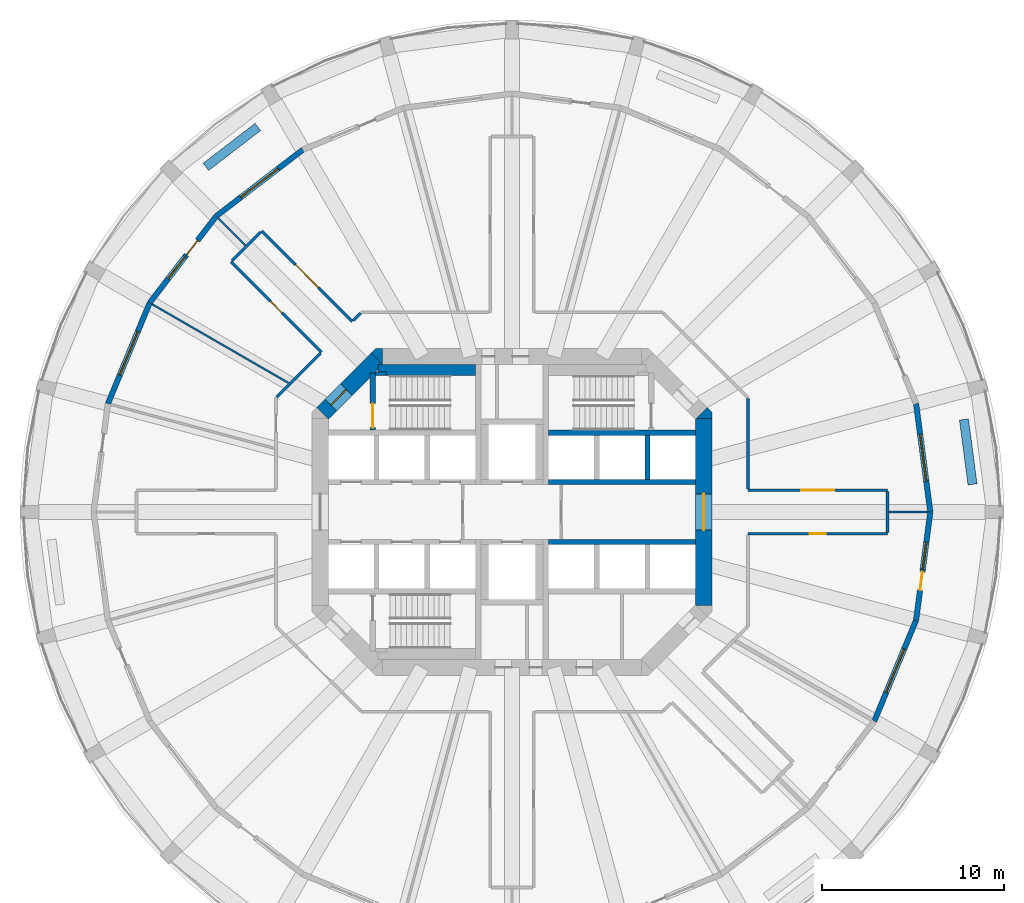
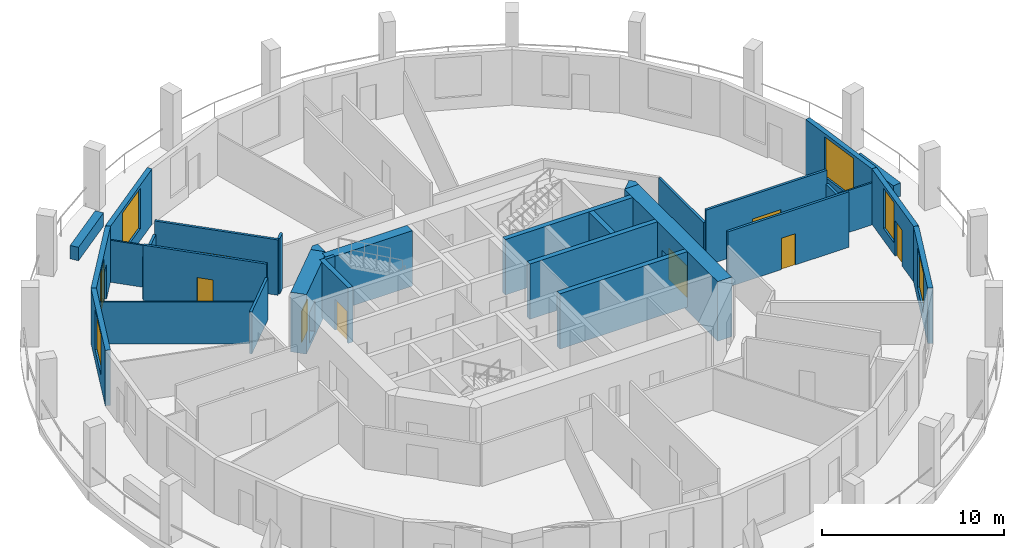
# One storey, part 5 of 9: 31 walls, 9 doors, 6 windows, 15 openings.
"""IFC4 building model written with IfcOpenShell, lengths in metres."""

from ifc_helpers import new_model, si_unit, direction, frame, frame_2d, origin, place, context, subcontext, project, spatial, polyline, rectangle, outline, extrude, material, layer, layer_set, type_object, element, fill, save


model = new_model("IFC4")

# Units and contexts
model_context = context("Model", 3, precision=1e-05, world=origin(), true_north=direction((0.0, 1.0)))
body_context = subcontext(model_context, "Body", "Model", "MODEL_VIEW")
ifc_project = project(units=[si_unit("LENGTHUNIT", "METRE"), si_unit("AREAUNIT", "SQUARE_METRE"), si_unit("VOLUMEUNIT", "CUBIC_METRE"), si_unit("PLANEANGLEUNIT", "RADIAN"), si_unit("MASSUNIT", "GRAM", prefix="KILO")], contexts=[model_context])

# Site, building, storey
site_placement = place(None, origin())
site = spatial("IfcSite", under=ifc_project, at=site_placement, CompositionType="ELEMENT")
building_placement = place(site_placement, origin())
building = spatial("IfcBuilding", under=site, at=building_placement, Name="Torre Triforio", CompositionType="ELEMENT")
storey_placement = place(building_placement, frame((0.0, 0.0, 35.0)))
storey = spatial("IfcBuildingStorey", under=building, at=storey_placement, Name="L06", CompositionType="ELEMENT", Elevation=35.0)

# Wall, opening, door
ifc_material_1 = material(Name="Concrete C60", Category="concrete")
ifc_layer_1 = layer(ifc_material_1, 0.89990234375)
ifc_layer_set_1 = layer_set([ifc_layer_1], Name="Concrete C60")
wall_type_1 = type_object("IfcWallType", Name="Core wall 900 mm C60 EI 120", PredefinedType="SHEAR", material=ifc_layer_set_1)
wall_1_placement = place(storey_placement, frame((10.550048828125, -5.1298828125, -0.280029296875), z_axis=(0.0, 0.0, 1.0), x_axis=(0.0, 1.0, 0.0)))
wall_1 = element("IfcWall", 1, at=wall_1_placement, inside=storey, type_object=wall_type_1, Name="Core wall", PredefinedType="SHEAR", context=body_context, shape_type="SweptSolid", body=[
    extrude(rectangle(XDim=10.259765625, YDim=0.89990234375, at=frame_2d((5.1298828125, 0.0))), origin(), (0.0, 0.0, 1.0), 4.0),
])
opening_1_placement = place(wall_1_placement, frame((4.1298828125, 0.0, 0.280029296875)))
opening_1 = element("IfcOpeningElement", 2, at=opening_1_placement, cuts=wall_1, Name="Opening E-RING", PredefinedType="OPENING", context=body_context, shape_type="SweptSolid", body=[
    extrude(rectangle(XDim=2.0, YDim=2.10009765625, at=frame_2d((1.0, 1.050048828125))), frame((0.0, 0.4599609375, 0.0), z_axis=(0.0, -1.0, 0.0), x_axis=(1.0, 0.0, 0.0)), (0.0, 0.0, 1.0), 0.919921875),
])
ifc_material_2 = material(Name="Hollow metal fire door leaf")
door_type_1 = type_object("IfcDoorType", Name="Lobby door 2000 x 2100 EI 60", OperationType="DOUBLE_DOOR_SINGLE_SWING", PredefinedType="DOOR", material=ifc_material_2)
door_1_placement = place(opening_1_placement, origin())
door_1 = element("IfcDoor", 3, at=door_1_placement, inside=storey, type_object=door_type_1, Name="Core door E-RING", OperationType="DOUBLE_DOOR_SINGLE_SWING", OverallHeight=2.10009765625, OverallWidth=2.0, PredefinedType="DOOR", context=body_context, shape_type="SweptSolid", body=[
    extrude(rectangle(XDim=2.0, YDim=2.10009765625, at=frame_2d((1.0, 1.050048828125))), frame((0.0, 0.02490234375, 0.0), z_axis=(0.0, -1.0, 0.0), x_axis=(1.0, 0.0, 0.0)), (0.0, 0.0, 1.0), 0.050048828125),
])
fill(opening_1, door_1)

wall_2_placement = place(storey_placement, frame((-10.418212890625, 5.418212890625, -0.280029296875), z_axis=(0.0, 0.0, 1.0), x_axis=(0.707106781187, 0.707106781187, 0.0)))
wall_2 = element("IfcWall", 4, at=wall_2_placement, inside=storey, type_object=wall_type_1, Name="Core wall", PredefinedType="SHEAR", context=body_context, shape_type="SweptSolid", body=[
    extrude(rectangle(XDim=4.24267578125, YDim=0.89990234375, at=frame_2d((2.121337890625, 0.0))), origin(), (0.0, 0.0, 1.0), 4.0),
])
opening_2_placement = place(wall_2_placement, frame((0.64990234375, 0.0, 0.280029296875)))
opening_2 = element("IfcOpeningElement", 5, at=opening_2_placement, cuts=wall_2, Name="Opening ST1-EXIT", PredefinedType="OPENING", context=body_context, shape_type="SweptSolid", body=[
    extrude(rectangle(XDim=1.199951171875, YDim=2.10009765625, at=frame_2d((0.60009765625, 1.050048828125))), frame((0.0, 0.4599609375, 0.0), z_axis=(0.0, -1.0, 0.0), x_axis=(1.0, 0.0, 0.0)), (0.0, 0.0, 1.0), 0.919921875),
])
door_type_2 = type_object("IfcDoorType", Name="Stair lobby door 1200 x 2100 EI 60", OperationType="NOTDEFINED", PredefinedType="DOOR", material=ifc_material_2)
door_2_placement = place(opening_2_placement, origin())
door_2 = element("IfcDoor", 6, at=door_2_placement, inside=storey, type_object=door_type_2, Name="Core door ST1-EXIT", OperationType="SINGLE_SWING_RIGHT", OverallHeight=2.10009765625, OverallWidth=1.199951171875, PredefinedType="DOOR", context=body_context, shape_type="SweptSolid", body=[
    extrude(rectangle(XDim=1.199951171875, YDim=2.10009765625, at=frame_2d((0.60009765625, 1.050048828125))), frame((0.0, 0.02490234375, 0.0), z_axis=(0.0, -1.0, 0.0), x_axis=(1.0, 0.0, 0.0)), (0.0, 0.0, 1.0), 0.050048828125),
])
fill(opening_2, door_2)

# Walls
wall_3_placement = place(storey_placement, frame((0.0, 0.0, -0.280029296875)))
element("IfcWall", 7, at=wall_3_placement, inside=storey, type_object=wall_type_1, Name="Core wall", PredefinedType="SHEAR", context=body_context, shape_type="SweptSolid", body=[
    extrude(outline(polyline([(11.0, 5.472900390625), (11.0, 5.1298828125), (10.1298828125, 5.1298828125), (10.736328125, 5.736328125), (11.0, 5.472900390625)])), origin(), (0.0, 0.0, 1.0), 4.0),
])
wall_4_placement = place(storey_placement, frame((0.0, 0.0, -0.280029296875)))
element("IfcWall", 8, at=wall_4_placement, inside=storey, type_object=wall_type_1, Name="Core wall", PredefinedType="SHEAR", context=body_context, shape_type="SweptSolid", body=[
    extrude(outline(polyline([(-7.472900390625, 9.0), (-7.1298828125, 9.0), (-7.1298828125, 8.1298828125), (-7.736328125, 8.736328125), (-7.472900390625, 9.0)])), origin(), (0.0, 0.0, 1.0), 4.0),
])
ifc_material_3 = material(Name="Plasterboard on metal studs")
ifc_layer_2 = layer(ifc_material_3, 0.14990234375)
ifc_layer_set_2 = layer_set([ifc_layer_2], Name="Plasterboard on metal studs")
wall_type_2 = type_object("IfcWallType", Name="Corridor and tenancy wall 150 mm EI 60", PredefinedType="PARTITIONING", material=ifc_layer_set_2)
wall_5_placement = place(storey_placement, frame((-12.93798828125, 6.327880859375, 0.0), z_axis=(0.0, 0.0, 1.0), x_axis=(0.707106781187, 0.707106781187, 0.0)))
element("IfcWall", 9, at=wall_5_placement, inside=storey, type_object=wall_type_2, Name="Partition 16", PredefinedType="PARTITIONING", context=body_context, shape_type="SweptSolid", body=[
    extrude(rectangle(XDim=3.399169921875, YDim=0.14990234375, at=frame_2d((1.69970703125, 0.0))), origin(), (0.0, 0.0, 1.0), 2.820068359375),
])

# Wall, opening, door
wall_6_placement = place(storey_placement, frame((-10.4814453125, 8.784423828125, 0.0), z_axis=(0.0, 0.0, 1.0), x_axis=(-0.707124155885, 0.707089406061, 0.0)))
wall_6 = element("IfcWall", 10, at=wall_6_placement, inside=storey, type_object=wall_type_2, Name="Partition 17", PredefinedType="PARTITIONING", context=body_context, shape_type="SweptSolid", body=[
    extrude(rectangle(XDim=7.025634765625, YDim=0.14990234375, at=frame_2d((3.5126953125, 0.0))), origin(), (0.0, 0.0, 1.0), 3.719970703125),
])
opening_3_placement = place(wall_6_placement, frame((3.062744140625, 0.0, 0.0)))
opening_3 = element("IfcOpeningElement", 11, at=opening_3_placement, cuts=wall_6, Name="Opening N1-05", PredefinedType="OPENING", context=body_context, shape_type="SweptSolid", body=[
    extrude(rectangle(XDim=0.89990234375, YDim=2.10009765625, at=frame_2d((0.449951171875, 1.050048828125))), frame((0.0, 0.0849609375, 0.0), z_axis=(0.0, -1.0, 0.0), x_axis=(1.0, 0.0, 0.0)), (0.0, 0.0, 1.0), 0.169921875),
])
ifc_material_4 = material(Name="Timber", Category="wood")
door_type_3 = type_object("IfcDoorType", Name="Door 900 x 2100 single leaf EI 30", OperationType="NOTDEFINED", PredefinedType="DOOR", material=ifc_material_4)
door_3_placement = place(opening_3_placement, origin())
door_3 = element("IfcDoor", 12, at=door_3_placement, inside=storey, type_object=door_type_3, Name="Door N1-05", OperationType="SINGLE_SWING_RIGHT", OverallHeight=2.10009765625, OverallWidth=0.89990234375, PredefinedType="DOOR", context=body_context, shape_type="SweptSolid", body=[
    extrude(rectangle(XDim=0.89990234375, YDim=2.10009765625, at=frame_2d((0.449951171875, 1.050048828125))), frame((0.0, 0.02490234375, 0.0), z_axis=(0.0, -1.0, 0.0), x_axis=(1.0, 0.0, 0.0)), (0.0, 0.0, 1.0), 0.050048828125),
])
fill(opening_3, door_3)

# Wall
wall_7_placement = place(storey_placement, frame((-15.396240234375, 13.805419921875, 0.0), z_axis=(0.0, 0.0, 1.0), x_axis=(0.707106781187, 0.707106781187, 0.0)))
element("IfcWall", 13, at=wall_7_placement, inside=storey, type_object=wall_type_2, Name="Partition 18", PredefinedType="PARTITIONING", context=body_context, shape_type="SweptSolid", body=[
    extrude(rectangle(XDim=2.249755859375, YDim=0.14990234375, at=frame_2d((1.125, 0.0))), origin(), (0.0, 0.0, 1.0), 2.820068359375),
])

# Wall, opening, door
wall_8_placement = place(storey_placement, frame((-13.752197265625, 15.449462890625, 0.0), z_axis=(0.0, 0.0, 1.0), x_axis=(0.707089406061, -0.707124155885, 0.0)))
wall_8 = element("IfcWall", 14, at=wall_8_placement, inside=storey, type_object=wall_type_2, Name="Partition 19", PredefinedType="PARTITIONING", context=body_context, shape_type="SweptSolid", body=[
    extrude(rectangle(XDim=7.025634765625, YDim=0.14990234375, at=frame_2d((3.5126953125, 0.0))), origin(), (0.0, 0.0, 1.0), 3.719970703125),
])
opening_4_placement = place(wall_8_placement, frame((2.61279296875, 0.0, 0.0)))
opening_4 = element("IfcOpeningElement", 15, at=opening_4_placement, cuts=wall_8, Name="Opening N1-04", PredefinedType="OPENING", context=body_context, shape_type="SweptSolid", body=[
    extrude(rectangle(XDim=1.800048828125, YDim=2.10009765625, at=frame_2d((0.89990234375, 1.050048828125))), frame((0.0, 0.0849609375, 0.0), z_axis=(0.0, -1.0, 0.0), x_axis=(1.0, 0.0, 0.0)), (0.0, 0.0, 1.0), 0.169921875),
])
door_type_4 = type_object("IfcDoorType", Name="Door 1800 x 2100 double leaf EI 30", OperationType="DOUBLE_DOOR_SINGLE_SWING", PredefinedType="DOOR", material=ifc_material_4)
door_4_placement = place(opening_4_placement, origin())
door_4 = element("IfcDoor", 16, at=door_4_placement, inside=storey, type_object=door_type_4, Name="Door N1-04", OperationType="DOUBLE_DOOR_SINGLE_SWING", OverallHeight=2.10009765625, OverallWidth=1.800048828125, PredefinedType="DOOR", context=body_context, shape_type="SweptSolid", body=[
    extrude(rectangle(XDim=1.800048828125, YDim=2.10009765625, at=frame_2d((0.89990234375, 1.050048828125))), frame((0.0, 0.02490234375, 0.0), z_axis=(0.0, -1.0, 0.0), x_axis=(1.0, 0.0, 0.0)), (0.0, 0.0, 1.0), 0.050048828125),
])
fill(opening_4, door_4)

# Walls
wall_9_placement = place(storey_placement, frame((-8.7314453125, 10.534423828125, 0.0), z_axis=(0.0, 0.0, 1.0), x_axis=(0.707106781187, 0.707106781187, 0.0)))
element("IfcWall", 17, at=wall_9_placement, inside=storey, type_object=wall_type_2, Name="Partition 20", PredefinedType="PARTITIONING", context=body_context, shape_type="SweptSolid", body=[
    extrude(rectangle(XDim=0.57080078125, YDim=0.14990234375, at=frame_2d((0.285400390625, 0.0))), origin(), (0.0, 0.0, 1.0), 3.719970703125),
])
wall_10_placement = place(storey_placement, frame((12.97509765625, 6.23828125, 0.0), z_axis=(0.0, 0.0, 1.0), x_axis=(0.0, -1.0, 0.0)))
element("IfcWall", 18, at=wall_10_placement, inside=storey, type_object=wall_type_2, Name="Partition 27", PredefinedType="PARTITIONING", context=body_context, shape_type="SweptSolid", body=[
    extrude(rectangle(XDim=4.96337890625, YDim=0.14990234375, at=frame_2d((2.481689453125, 0.0))), origin(), (0.0, 0.0, 1.0), 2.820068359375),
])

# Wall, opening, door
wall_11_placement = place(storey_placement, frame((12.97509765625, 1.199951171875, 0.0), z_axis=(0.0, 0.0, 1.0), x_axis=(1.0, 0.0, 0.0)))
wall_11 = element("IfcWall", 19, at=wall_11_placement, inside=storey, type_object=wall_type_2, Name="Partition 28", PredefinedType="PARTITIONING", context=body_context, shape_type="SweptSolid", body=[
    extrude(rectangle(XDim=7.673583984375, YDim=0.14990234375, at=frame_2d((3.8369140625, 0.0))), origin(), (0.0, 0.0, 1.0), 3.719970703125),
])
opening_5_placement = place(wall_11_placement, frame((2.93701171875, 0.0, 0.0)))
opening_5 = element("IfcOpeningElement", 20, at=opening_5_placement, cuts=wall_11, Name="Opening N1-01", PredefinedType="OPENING", context=body_context, shape_type="SweptSolid", body=[
    extrude(rectangle(XDim=1.800048828125, YDim=2.10009765625, at=frame_2d((0.89990234375, 1.050048828125))), frame((0.0, 0.0849609375, 0.0), z_axis=(0.0, -1.0, 0.0), x_axis=(1.0, 0.0, 0.0)), (0.0, 0.0, 1.0), 0.169921875),
])
door_5_placement = place(opening_5_placement, origin())
door_5 = element("IfcDoor", 21, at=door_5_placement, inside=storey, type_object=door_type_4, Name="Door N1-01", OperationType="DOUBLE_DOOR_SINGLE_SWING", OverallHeight=2.10009765625, OverallWidth=1.800048828125, PredefinedType="DOOR", context=body_context, shape_type="SweptSolid", body=[
    extrude(rectangle(XDim=1.800048828125, YDim=2.10009765625, at=frame_2d((0.89990234375, 1.050048828125))), frame((0.0, 0.02490234375, 0.0), z_axis=(0.0, -1.0, 0.0), x_axis=(1.0, 0.0, 0.0)), (0.0, 0.0, 1.0), 0.050048828125),
])
fill(opening_5, door_5)

# Wall
wall_12_placement = place(storey_placement, frame((20.648681640625, 1.125, 0.0), z_axis=(0.0, 0.0, 1.0), x_axis=(0.0, -1.0, 0.0)))
element("IfcWall", 22, at=wall_12_placement, inside=storey, type_object=wall_type_2, Name="Partition 29", PredefinedType="PARTITIONING", context=body_context, shape_type="SweptSolid", body=[
    extrude(rectangle(XDim=2.25, YDim=0.14990234375, at=frame_2d((1.125, 0.0))), origin(), (0.0, 0.0, 1.0), 2.820068359375),
])

# Wall, opening, door
wall_13_placement = place(storey_placement, frame((20.648681640625, -1.199951171875, 0.0), z_axis=(0.0, 0.0, 1.0), x_axis=(-1.0, 0.0, 0.0)))
wall_13 = element("IfcWall", 23, at=wall_13_placement, inside=storey, type_object=wall_type_2, Name="Partition 30", PredefinedType="PARTITIONING", context=body_context, shape_type="SweptSolid", body=[
    extrude(rectangle(XDim=7.673583984375, YDim=0.14990234375, at=frame_2d((3.8369140625, 0.0))), origin(), (0.0, 0.0, 1.0), 3.719970703125),
])
opening_6_placement = place(wall_13_placement, frame((3.386962890625, 0.0, 0.0)))
opening_6 = element("IfcOpeningElement", 24, at=opening_6_placement, cuts=wall_13, Name="Opening N1-14", PredefinedType="OPENING", context=body_context, shape_type="SweptSolid", body=[
    extrude(rectangle(XDim=0.89990234375, YDim=2.10009765625, at=frame_2d((0.449951171875, 1.050048828125))), frame((0.0, 0.0849609375, 0.0), z_axis=(0.0, -1.0, 0.0), x_axis=(1.0, 0.0, 0.0)), (0.0, 0.0, 1.0), 0.169921875),
])
door_6_placement = place(opening_6_placement, origin())
door_6 = element("IfcDoor", 25, at=door_6_placement, inside=storey, type_object=door_type_3, Name="Door N1-14", OperationType="SINGLE_SWING_RIGHT", OverallHeight=2.10009765625, OverallWidth=0.89990234375, PredefinedType="DOOR", context=body_context, shape_type="SweptSolid", body=[
    extrude(rectangle(XDim=0.89990234375, YDim=2.10009765625, at=frame_2d((0.449951171875, 1.050048828125))), frame((0.0, 0.02490234375, 0.0), z_axis=(0.0, -1.0, 0.0), x_axis=(1.0, 0.0, 0.0)), (0.0, 0.0, 1.0), 0.050048828125),
])
fill(opening_6, door_6)

# Walls
ifc_layer_3 = layer(ifc_material_3, 0.10009765625)
ifc_layer_set_3 = layer_set([ifc_layer_3], Name="Plasterboard on metal studs")
wall_type_3 = type_object("IfcWallType", Name="Partition 100 mm board on metal studs", PredefinedType="PARTITIONING", material=ifc_layer_set_3)
for number, where, z_axis, x_axis, name in (
    (26, (20.7236328125, 0.0, 0.0), (0.0, 0.0, 1.0), (1.0, 0.0, 0.0), "Partition 35"),
    (27, (-14.65380859375, 14.65380859375, 0.0), (0.0, 0.0, 1.0), (-0.707106781187, 0.707106781187, 0.0), "Partition 39"),
):
    element("IfcWall", number, at=place(storey_placement, frame(where, z_axis=z_axis, x_axis=x_axis)), inside=storey, type_object=wall_type_3, Name=name, PredefinedType="PARTITIONING", context=body_context, shape_type="SweptSolid", body=[
        extrude(rectangle(XDim=2.113037109375, YDim=0.10009765625, at=frame_2d((1.056640625, 0.0))), origin(), (0.0, 0.0, 1.0), 2.820068359375),
    ])
wall_14_placement = place(storey_placement, frame((-12.294189453125, 7.097900390625, 0.0), z_axis=(0.0, 0.0, 1.0), x_axis=(-0.866010547425, 0.500025731086, 0.0)))
element("IfcWall", 28, at=wall_14_placement, inside=storey, type_object=wall_type_3, Name="Partition 40", PredefinedType="PARTITIONING", context=body_context, shape_type="SweptSolid", body=[
    extrude(rectangle(XDim=8.640625, YDim=0.10009765625, at=frame_2d((4.3203125, 0.0))), origin(), (0.0, 0.0, 1.0), 2.820068359375),
])
ifc_material_5 = material(Name="Limestone cladding", Category="masonry")
ifc_layer_4 = layer(ifc_material_5, 0.10009765625)
ifc_material_6 = material(Name="Concrete C40", Category="concrete")
ifc_layer_5 = layer(ifc_material_6, 0.39990234375)
ifc_layer_set_4 = layer_set([ifc_layer_4, ifc_layer_5], Name="Limestone cladding / Concrete C40")
wall_type_4 = type_object("IfcWallType", Name="Planter wall 500", PredefinedType="PARAPET", material=ifc_layer_set_4)
wall_15_placement = place(storey_placement, frame((25.318603515625, 1.517578125, 0.0), z_axis=(0.0, 0.0, 1.0), x_axis=(-0.130542222659, 0.991442750795, 0.0)))
element("IfcWall", 29, at=wall_15_placement, inside=storey, type_object=wall_type_4, Name="Planter L06 bay 01", PredefinedType="PARAPET", context=body_context, shape_type="SweptSolid", body=[
    extrude(rectangle(XDim=3.60009765625, YDim=0.5, at=frame_2d((1.800048828125, 0.0))), origin(), (0.0, 0.0, 1.0), 0.89990234375),
])
wall_16_placement = place(storey_placement, frame((-13.9736328125, 21.16748046875, 0.0), z_axis=(0.0, 0.0, 1.0), x_axis=(-0.793359599829, -0.608753271334, 0.0)))
element("IfcWall", 30, at=wall_16_placement, inside=storey, type_object=wall_type_4, Name="Planter L06 bay 09", PredefinedType="PARAPET", context=body_context, shape_type="SweptSolid", body=[
    extrude(rectangle(XDim=3.599853515625, YDim=0.5, at=frame_2d((1.7998046875, 0.0))), origin(), (0.0, 0.0, 1.0), 0.89990234375),
])
ifc_layer_6 = layer(ifc_material_1, 0.300048828125)
ifc_layer_set_5 = layer_set([ifc_layer_6], Name="Concrete C60")
wall_type_5 = type_object("IfcWallType", Name="Shaft wall 300 mm C60 EI 120", PredefinedType="SOLIDWALL", material=ifc_layer_set_5)
for number, where, z_axis, x_axis, name in (
    (31, (2.0, 4.35009765625, 0.0), (0.0, 0.0, 1.0), (1.0, 0.0, 0.0), "Shaft wall"),
    (32, (2.0, 1.64990234375, 0.0), (0.0, 0.0, 1.0), (1.0, 0.0, 0.0), "Shaft wall"),
    (33, (2.0, -1.64990234375, 0.0), (0.0, 0.0, 1.0), (1.0, 0.0, 0.0), "Shaft wall"),
):
    element("IfcWall", number, at=place(storey_placement, frame(where, z_axis=z_axis, x_axis=x_axis)), inside=storey, type_object=wall_type_5, Name=name, PredefinedType="SOLIDWALL", context=body_context, shape_type="SweptSolid", body=[
        extrude(rectangle(XDim=8.10009765625, YDim=0.300048828125, at=frame_2d((4.050048828125, 0.0))), origin(), (0.0, 0.0, 1.0), 3.719970703125),
    ])
wall_17_placement = place(storey_placement, frame((7.449951171875, 1.800048828125, 0.0), z_axis=(0.0, 0.0, 1.0), x_axis=(0.0, 1.0, 0.0)))
element("IfcWall", 34, at=wall_17_placement, inside=storey, type_object=wall_type_5, Name="Shaft wall", PredefinedType="SOLIDWALL", context=body_context, shape_type="SweptSolid", body=[
    extrude(rectangle(XDim=2.39990234375, YDim=0.300048828125, at=frame_2d((1.199951171875, 0.0))), origin(), (0.0, 0.0, 1.0), 3.719970703125),
])
ifc_layer_7 = layer(ifc_material_1, 0.199951171875)
ifc_layer_set_6 = layer_set([ifc_layer_7], Name="Concrete C60")
wall_type_6 = type_object("IfcWallType", Name="Stair wall 200 mm C60 EI 120", PredefinedType="SHEAR", material=ifc_layer_set_6)
wall_18_placement = place(storey_placement, frame((-7.5, 7.60009765625, 0.0), z_axis=(0.0, 0.0, 1.0), x_axis=(1.0, 0.0, 0.0)))
element("IfcWall", 35, at=wall_18_placement, inside=storey, type_object=wall_type_6, Name="Stair wall", PredefinedType="SHEAR", context=body_context, shape_type="SweptSolid", body=[
    extrude(rectangle(XDim=0.60009765625, YDim=0.199951171875, at=frame_2d((0.300048828125, 0.0))), origin(), (0.0, 0.0, 1.0), 3.719970703125),
])

# Wall, opening, door
ifc_layer_8 = layer(ifc_material_1, 0.300048828125)
ifc_layer_set_7 = layer_set([ifc_layer_8], Name="Concrete C60")
wall_type_7 = type_object("IfcWallType", Name="Stair wall 300 mm C60 EI 120", PredefinedType="SHEAR", material=ifc_layer_set_7)
wall_19_placement = place(storey_placement, frame((-7.64990234375, 4.5, 0.0), z_axis=(0.0, 0.0, 1.0), x_axis=(0.0, 1.0, 0.0)))
wall_19 = element("IfcWall", 36, at=wall_19_placement, inside=storey, type_object=wall_type_7, Name="Stair wall", PredefinedType="SHEAR", context=body_context, shape_type="SweptSolid", body=[
    extrude(rectangle(XDim=3.139892578125, YDim=0.300048828125, at=frame_2d((1.56982421875, 0.0))), origin(), (0.0, 0.0, 1.0), 3.719970703125),
])
opening_7_placement = place(wall_19_placement, frame((0.139892578125, 0.0, 0.0)))
opening_7 = element("IfcOpeningElement", 37, at=opening_7_placement, cuts=wall_19, Name="Opening ST1-STA", PredefinedType="OPENING", context=body_context, shape_type="SweptSolid", body=[
    extrude(rectangle(XDim=1.320068359375, YDim=2.10009765625, at=frame_2d((0.66015625, 1.050048828125))), frame((0.0, 0.159912109375, 0.0), z_axis=(0.0, -1.0, 0.0), x_axis=(1.0, 0.0, 0.0)), (0.0, 0.0, 1.0), 0.320068359375),
])
door_type_5 = type_object("IfcDoorType", Name="Stair door 1320 x 2100 EI 90", OperationType="DOUBLE_DOOR_SINGLE_SWING", PredefinedType="DOOR", material=ifc_material_2)
door_7_placement = place(opening_7_placement, origin())
door_7 = element("IfcDoor", 38, at=door_7_placement, inside=storey, type_object=door_type_5, Name="Core door ST1-ST", OperationType="DOUBLE_DOOR_SINGLE_SWING", OverallHeight=2.10009765625, OverallWidth=1.320068359375, PredefinedType="DOOR", context=body_context, shape_type="SweptSolid", body=[
    extrude(rectangle(XDim=1.320068359375, YDim=2.10009765625, at=frame_2d((0.66015625, 1.050048828125))), frame((0.0, 0.02490234375, 0.0), z_axis=(0.0, -1.0, 0.0), x_axis=(1.0, 0.0, 0.0)), (0.0, 0.0, 1.0), 0.050048828125),
])
fill(opening_7, door_7)

# Wall
ifc_layer_9 = layer(ifc_material_1, 0.60009765625)
ifc_layer_set_8 = layer_set([ifc_layer_9], Name="Concrete C60")
wall_type_8 = type_object("IfcWallType", Name="Stair wall 600 mm C60 EI 120", PredefinedType="SHEAR", material=ifc_layer_set_8)
wall_20_placement = place(storey_placement, frame((-7.3701171875, 7.800048828125, 0.0), z_axis=(0.0, 0.0, 1.0), x_axis=(1.0, 0.0, 0.0)))
element("IfcWall", 39, at=wall_20_placement, inside=storey, type_object=wall_type_8, Name="Stair wall", PredefinedType="SHEAR", context=body_context, shape_type="SweptSolid", body=[
    extrude(rectangle(XDim=5.3701171875, YDim=0.60009765625, at=frame_2d((2.68505859375, 0.0))), origin(), (0.0, 0.0, 1.0), 3.719970703125),
])

# Wall, opening, window
ifc_layer_10 = layer(ifc_material_5, 0.10009765625)
ifc_layer_11 = layer(ifc_material_6, 0.199951171875)
ifc_layer_set_9 = layer_set([ifc_layer_10, ifc_layer_11], Name="Limestone cladding / Concrete C40")
wall_type_9 = type_object("IfcWallType", Name="Stone-faced composite wall 300", PredefinedType="STANDARD", material=ifc_layer_set_9)
wall_21_placement = place(storey_placement, frame((23.0, 0.0, 0.0), z_axis=(0.0, 0.0, 1.0), x_axis=(-0.130522880875, 0.991445297315, 0.0)))
wall_21 = element("IfcWall", 40, at=wall_21_placement, inside=storey, type_object=wall_type_9, Name="External wall L06 bay 01", PredefinedType="STANDARD", context=body_context, shape_type="SweptSolid", body=[
    extrude(rectangle(XDim=6.004150390625, YDim=0.300048828125, at=frame_2d((3.001953125, 0.0))), origin(), (0.0, 0.0, 1.0), 3.719970703125),
])
opening_8_placement = place(wall_21_placement, frame((1.7021484375, 0.0, 0.800048828125)))
opening_8 = element("IfcOpeningElement", 41, at=opening_8_placement, cuts=wall_21, Name="Opening N1-W01", PredefinedType="OPENING", context=body_context, shape_type="SweptSolid", body=[
    extrude(rectangle(XDim=2.60009765625, YDim=2.699951171875, at=frame_2d((1.300048828125, 1.35009765625))), frame((0.0, 0.159912109375, 0.0), z_axis=(0.0, -1.0, 0.0), x_axis=(1.0, 0.0, 0.0)), (0.0, 0.0, 1.0), 0.320068359375),
])
ifc_material_7 = material(Name="Aluminium frame with clear double glazing", Category="aluminium")
window_type_1 = type_object("IfcWindowType", Name="Punched window 2600 x 2700", PartitioningType="DOUBLE_PANEL_VERTICAL", PredefinedType="WINDOW", material=ifc_material_7)
window_1_placement = place(opening_8_placement, origin())
window_1 = element("IfcWindow", 42, at=window_1_placement, inside=storey, type_object=window_type_1, Name="Window EWN2 L06 bay 01", OverallHeight=2.699951171875, OverallWidth=2.60009765625, PartitioningType="SINGLE_PANEL", PredefinedType="WINDOW", context=body_context, shape_type="SweptSolid", body=[
    extrude(rectangle(XDim=2.60009765625, YDim=2.699951171875, at=frame_2d((1.300048828125, 1.35009765625))), frame((0.0, 0.030029296875, 0.0), z_axis=(0.0, -1.0, 0.0), x_axis=(1.0, 0.0, 0.0)), (0.0, 0.0, 1.0), 0.06005859375),
])
fill(opening_8, window_1)

wall_22_placement = place(storey_placement, frame((-11.5, 19.918701171875, 0.0), z_axis=(0.0, 0.0, 1.0), x_axis=(-0.793339924758, -0.608778912074, 0.0)))
wall_22 = element("IfcWall", 43, at=wall_22_placement, inside=storey, type_object=wall_type_9, Name="External wall L06 bay 09", PredefinedType="STANDARD", context=body_context, shape_type="SweptSolid", body=[
    extrude(rectangle(XDim=6.004150390625, YDim=0.300048828125, at=frame_2d((3.001953125, 0.0))), origin(), (0.0, 0.0, 1.0), 3.719970703125),
])
opening_9_placement = place(wall_22_placement, frame((1.7021484375, 0.0, 0.800048828125)))
opening_9 = element("IfcOpeningElement", 44, at=opening_9_placement, cuts=wall_22, Name="Opening N1-W09", PredefinedType="OPENING", context=body_context, shape_type="SweptSolid", body=[
    extrude(rectangle(XDim=2.60009765625, YDim=2.699951171875, at=frame_2d((1.300048828125, 1.35009765625))), frame((0.0, 0.159912109375, 0.0), z_axis=(0.0, -1.0, 0.0), x_axis=(1.0, 0.0, 0.0)), (0.0, 0.0, 1.0), 0.320068359375),
])
window_2_placement = place(opening_9_placement, origin())
window_2 = element("IfcWindow", 45, at=window_2_placement, inside=storey, type_object=window_type_1, Name="Window EWN2 L06 bay 09", OverallHeight=2.699951171875, OverallWidth=2.60009765625, PartitioningType="SINGLE_PANEL", PredefinedType="WINDOW", context=body_context, shape_type="SweptSolid", body=[
    extrude(rectangle(XDim=2.60009765625, YDim=2.699951171875, at=frame_2d((1.300048828125, 1.35009765625))), frame((0.0, 0.030029296875, 0.0), z_axis=(0.0, -1.0, 0.0), x_axis=(1.0, 0.0, 0.0)), (0.0, 0.0, 1.0), 0.06005859375),
])
fill(opening_9, window_2)

# Wall, openings, door, window
wall_23_placement = place(storey_placement, frame((-16.263427734375, 16.263427734375, 0.0), z_axis=(0.0, 0.0, 1.0), x_axis=(-0.608778912074, -0.793339924758, 0.0)))
wall_23 = element("IfcWall", 46, at=wall_23_placement, inside=storey, type_object=wall_type_9, Name="External wall L06 bay 10", PredefinedType="STANDARD", context=body_context, shape_type="SweptSolid", body=[
    extrude(rectangle(XDim=6.004150390625, YDim=0.300048828125, at=frame_2d((3.001953125, 0.0))), origin(), (0.0, 0.0, 1.0), 3.719970703125),
])
opening_10_placement = place(wall_23_placement, frame((1.677001953125, 0.0, 0.0)))
opening_10 = element("IfcOpeningElement", 47, at=opening_10_placement, cuts=wall_23, Name="Opening N1-D10", PredefinedType="OPENING", context=body_context, shape_type="SweptSolid", body=[
    extrude(rectangle(XDim=1.0, YDim=2.39990234375, at=frame_2d((0.5, 1.199951171875))), frame((0.0, 0.159912109375, 0.0), z_axis=(0.0, -1.0, 0.0), x_axis=(1.0, 0.0, 0.0)), (0.0, 0.0, 1.0), 0.320068359375),
])
opening_11_placement = place(wall_23_placement, frame((2.8271484375, 0.0, 0.800048828125)))
opening_11 = element("IfcOpeningElement", 48, at=opening_11_placement, cuts=wall_23, Name="Opening N1-W10A", PredefinedType="OPENING", context=body_context, shape_type="SweptSolid", body=[
    extrude(rectangle(XDim=1.5, YDim=2.699951171875, at=frame_2d((0.75, 1.35009765625))), frame((0.0, 0.159912109375, 0.0), z_axis=(0.0, -1.0, 0.0), x_axis=(1.0, 0.0, 0.0)), (0.0, 0.0, 1.0), 0.320068359375),
])
door_type_6 = type_object("IfcDoorType", Name="Loggia door 1000 x 2400", OperationType="NOTDEFINED", PredefinedType="DOOR", material=ifc_material_7)
door_8_placement = place(opening_10_placement, origin())
door_8 = element("IfcDoor", 49, at=door_8_placement, inside=storey, type_object=door_type_6, Name="Loggia door L06 bay 10", OperationType="SINGLE_SWING_LEFT", OverallHeight=2.39990234375, OverallWidth=1.0, PredefinedType="DOOR", context=body_context, shape_type="SweptSolid", body=[
    extrude(rectangle(XDim=1.0, YDim=2.39990234375, at=frame_2d((0.5, 1.199951171875))), frame((0.0, 0.02490234375, 0.0), z_axis=(0.0, -1.0, 0.0), x_axis=(1.0, 0.0, 0.0)), (0.0, 0.0, 1.0), 0.050048828125),
])
fill(opening_10, door_8)
window_type_2 = type_object("IfcWindowType", Name="Side window 1500 x 2700", PartitioningType="SINGLE_PANEL", PredefinedType="WINDOW", material=ifc_material_7)
window_3_placement = place(opening_11_placement, origin())
window_3 = element("IfcWindow", 50, at=window_3_placement, inside=storey, type_object=window_type_2, Name="Side window EWN12 L06 bay 10", OverallHeight=2.699951171875, OverallWidth=1.5, PartitioningType="SINGLE_PANEL", PredefinedType="WINDOW", context=body_context, shape_type="SweptSolid", body=[
    extrude(rectangle(XDim=1.5, YDim=2.699951171875, at=frame_2d((0.75, 1.35009765625))), frame((0.0, 0.030029296875, 0.0), z_axis=(0.0, -1.0, 0.0), x_axis=(1.0, 0.0, 0.0)), (0.0, 0.0, 1.0), 0.06005859375),
])
fill(opening_11, window_3)

# Wall, opening, window
wall_24_placement = place(storey_placement, frame((-19.918701171875, 11.5, 0.0), z_axis=(0.0, 0.0, 1.0), x_axis=(-0.382671411433, -0.923884511653, 0.0)))
wall_24 = element("IfcWall", 51, at=wall_24_placement, inside=storey, type_object=wall_type_9, Name="External wall L06 bay 11", PredefinedType="STANDARD", context=body_context, shape_type="SweptSolid", body=[
    extrude(rectangle(XDim=6.004150390625, YDim=0.300048828125, at=frame_2d((3.001953125, 0.0))), origin(), (0.0, 0.0, 1.0), 3.719970703125),
])
opening_12_placement = place(wall_24_placement, frame((1.7021484375, 0.0, 0.800048828125)))
opening_12 = element("IfcOpeningElement", 52, at=opening_12_placement, cuts=wall_24, Name="Opening N1-W11", PredefinedType="OPENING", context=body_context, shape_type="SweptSolid", body=[
    extrude(rectangle(XDim=2.60009765625, YDim=2.699951171875, at=frame_2d((1.300048828125, 1.35009765625))), frame((0.0, 0.159912109375, 0.0), z_axis=(0.0, -1.0, 0.0), x_axis=(1.0, 0.0, 0.0)), (0.0, 0.0, 1.0), 0.320068359375),
])
window_4_placement = place(opening_12_placement, origin())
window_4 = element("IfcWindow", 53, at=window_4_placement, inside=storey, type_object=window_type_1, Name="Window EWN2 L06 bay 11", OverallHeight=2.699951171875, OverallWidth=2.60009765625, PartitioningType="SINGLE_PANEL", PredefinedType="WINDOW", context=body_context, shape_type="SweptSolid", body=[
    extrude(rectangle(XDim=2.60009765625, YDim=2.699951171875, at=frame_2d((1.300048828125, 1.35009765625))), frame((0.0, 0.030029296875, 0.0), z_axis=(0.0, -1.0, 0.0), x_axis=(1.0, 0.0, 0.0)), (0.0, 0.0, 1.0), 0.06005859375),
])
fill(opening_12, window_4)

wall_25_placement = place(storey_placement, frame((19.918701171875, -11.5, 0.0), z_axis=(0.0, 0.0, 1.0), x_axis=(0.382671411433, 0.923884511653, 0.0)))
wall_25 = element("IfcWall", 54, at=wall_25_placement, inside=storey, type_object=wall_type_9, Name="External wall L06 bay 23", PredefinedType="STANDARD", context=body_context, shape_type="SweptSolid", body=[
    extrude(rectangle(XDim=6.004150390625, YDim=0.300048828125, at=frame_2d((3.001953125, 0.0))), origin(), (0.0, 0.0, 1.0), 3.719970703125),
])
opening_13_placement = place(wall_25_placement, frame((1.7021484375, 0.0, 0.800048828125)))
opening_13 = element("IfcOpeningElement", 55, at=opening_13_placement, cuts=wall_25, Name="Opening N1-W23", PredefinedType="OPENING", context=body_context, shape_type="SweptSolid", body=[
    extrude(rectangle(XDim=2.60009765625, YDim=2.699951171875, at=frame_2d((1.300048828125, 1.35009765625))), frame((0.0, 0.159912109375, 0.0), z_axis=(0.0, -1.0, 0.0), x_axis=(1.0, 0.0, 0.0)), (0.0, 0.0, 1.0), 0.320068359375),
])
window_5_placement = place(opening_13_placement, origin())
window_5 = element("IfcWindow", 56, at=window_5_placement, inside=storey, type_object=window_type_1, Name="Window EWN2 L06 bay 23", OverallHeight=2.699951171875, OverallWidth=2.60009765625, PartitioningType="SINGLE_PANEL", PredefinedType="WINDOW", context=body_context, shape_type="SweptSolid", body=[
    extrude(rectangle(XDim=2.60009765625, YDim=2.699951171875, at=frame_2d((1.300048828125, 1.35009765625))), frame((0.0, 0.030029296875, 0.0), z_axis=(0.0, -1.0, 0.0), x_axis=(1.0, 0.0, 0.0)), (0.0, 0.0, 1.0), 0.06005859375),
])
fill(opening_13, window_5)

# Wall, openings, door, window
wall_26_placement = place(storey_placement, frame((22.21630859375, -5.952880859375, 0.0), z_axis=(0.0, 0.0, 1.0), x_axis=(0.130522880875, 0.991445297315, 0.0)))
wall_26 = element("IfcWall", 57, at=wall_26_placement, inside=storey, type_object=wall_type_9, Name="External wall L06 bay 24", PredefinedType="STANDARD", context=body_context, shape_type="SweptSolid", body=[
    extrude(rectangle(XDim=6.004150390625, YDim=0.300048828125, at=frame_2d((3.001953125, 0.0))), origin(), (0.0, 0.0, 1.0), 3.719970703125),
])
opening_14_placement = place(wall_26_placement, frame((1.677001953125, 0.0, 0.0)))
opening_14 = element("IfcOpeningElement", 58, at=opening_14_placement, cuts=wall_26, Name="Opening N1-D24", PredefinedType="OPENING", context=body_context, shape_type="SweptSolid", body=[
    extrude(rectangle(XDim=1.0, YDim=2.39990234375, at=frame_2d((0.5, 1.199951171875))), frame((0.0, 0.159912109375, 0.0), z_axis=(0.0, -1.0, 0.0), x_axis=(1.0, 0.0, 0.0)), (0.0, 0.0, 1.0), 0.320068359375),
])
opening_15_placement = place(wall_26_placement, frame((2.8271484375, 0.0, 0.800048828125)))
opening_15 = element("IfcOpeningElement", 59, at=opening_15_placement, cuts=wall_26, Name="Opening N1-W24A", PredefinedType="OPENING", context=body_context, shape_type="SweptSolid", body=[
    extrude(rectangle(XDim=1.5, YDim=2.699951171875, at=frame_2d((0.75, 1.35009765625))), frame((0.0, 0.159912109375, 0.0), z_axis=(0.0, -1.0, 0.0), x_axis=(1.0, 0.0, 0.0)), (0.0, 0.0, 1.0), 0.320068359375),
])
door_9_placement = place(opening_14_placement, origin())
door_9 = element("IfcDoor", 60, at=door_9_placement, inside=storey, type_object=door_type_6, Name="Loggia door L06 bay 24", OperationType="SINGLE_SWING_LEFT", OverallHeight=2.39990234375, OverallWidth=1.0, PredefinedType="DOOR", context=body_context, shape_type="SweptSolid", body=[
    extrude(rectangle(XDim=1.0, YDim=2.39990234375, at=frame_2d((0.5, 1.199951171875))), frame((0.0, 0.02490234375, 0.0), z_axis=(0.0, -1.0, 0.0), x_axis=(1.0, 0.0, 0.0)), (0.0, 0.0, 1.0), 0.050048828125),
])
fill(opening_14, door_9)
window_6_placement = place(opening_15_placement, origin())
window_6 = element("IfcWindow", 61, at=window_6_placement, inside=storey, type_object=window_type_2, Name="Side window EWN12 L06 bay 24", OverallHeight=2.699951171875, OverallWidth=1.5, PartitioningType="SINGLE_PANEL", PredefinedType="WINDOW", context=body_context, shape_type="SweptSolid", body=[
    extrude(rectangle(XDim=1.5, YDim=2.699951171875, at=frame_2d((0.75, 1.35009765625))), frame((0.0, 0.030029296875, 0.0), z_axis=(0.0, -1.0, 0.0), x_axis=(1.0, 0.0, 0.0)), (0.0, 0.0, 1.0), 0.06005859375),
])
fill(opening_15, window_6)

save(model, "model.ifc")
